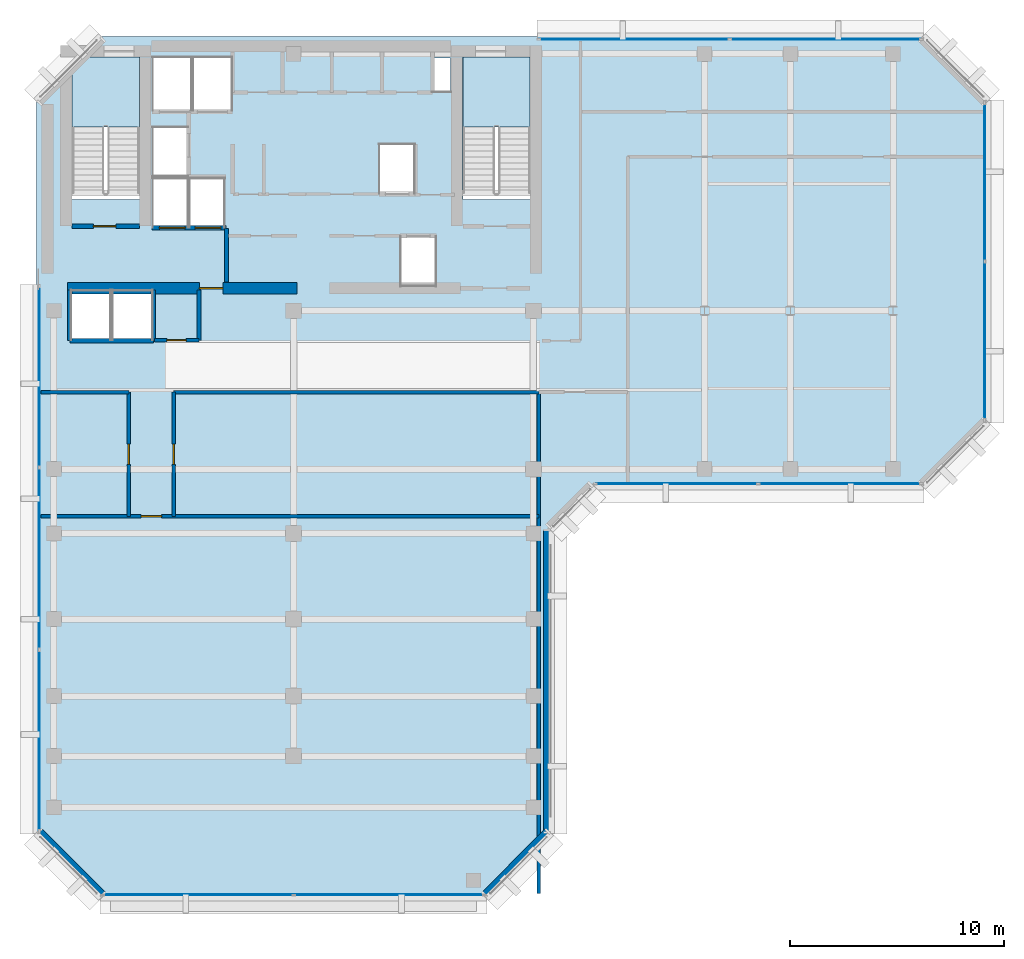
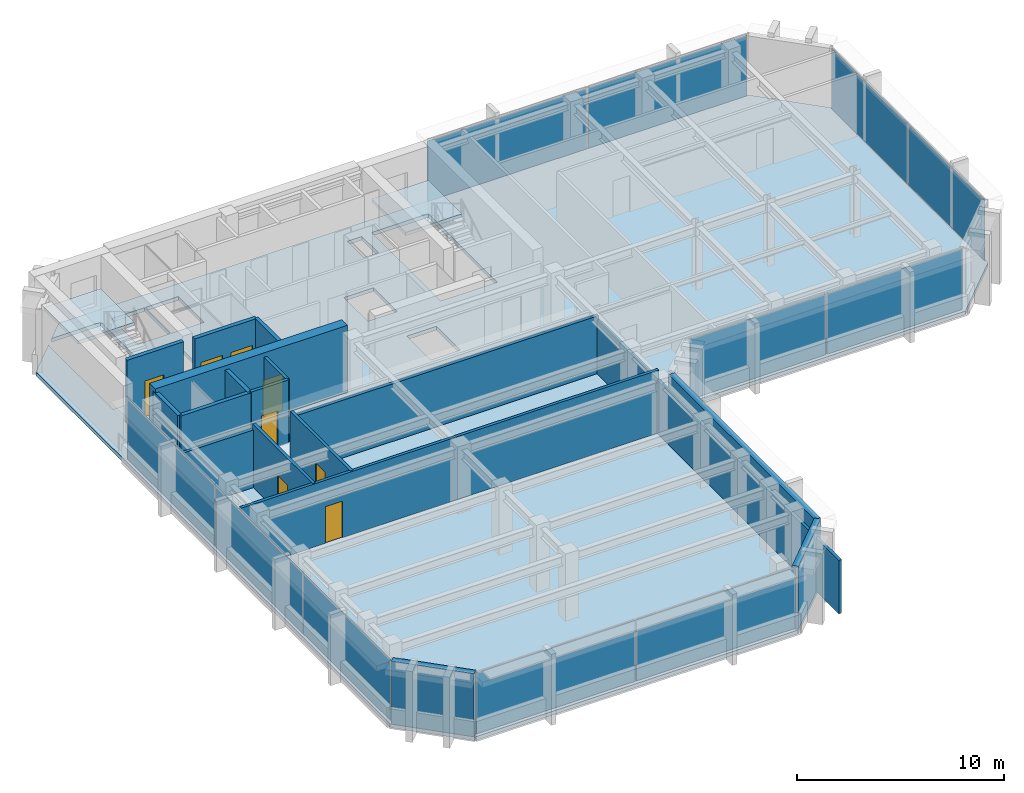
# One storey, part 6 of 11: 18 walls, 11 plates, 8 doors, 3 slabs, 8 openings, 7 elements without a shape of their own.
"""IFC4 building model written with IfcOpenShell, lengths in metres."""

from ifc_helpers import new_model, si_unit, direction, frame, frame_2d, origin, origin_2d, place, context, subcontext, project, spatial, polyline, rectangle, outline, extrude, material, layer, layer_set, type_object, element, fill, aggregate, save


model = new_model("IFC4")

# Units and contexts
model_context = context("Model", 3, precision=1e-05, world=origin(), true_north=direction((0.0, 1.0)))
body_context = subcontext(model_context, "Body", "Model", "MODEL_VIEW")
ifc_project = project(units=[si_unit("LENGTHUNIT", "METRE"), si_unit("AREAUNIT", "SQUARE_METRE"), si_unit("VOLUMEUNIT", "CUBIC_METRE"), si_unit("PLANEANGLEUNIT", "RADIAN"), si_unit("MASSUNIT", "GRAM", prefix="KILO")], contexts=[model_context])

# Site, building, storey
site_placement = place(None, origin())
site = spatial("IfcSite", under=ifc_project, at=site_placement, CompositionType="ELEMENT")
building_placement = place(site_placement, origin())
building = spatial("IfcBuilding", under=site, at=building_placement, Name="Kefirva Bronze Tower", CompositionType="ELEMENT")
storey_placement = place(building_placement, frame((0.0, 0.0, 343.530029296875)))
storey = spatial("IfcBuildingStorey", under=building, at=storey_placement, Name="L84", CompositionType="ELEMENT", Elevation=343.530029296875)

# Stair, slab
ifc_material_1 = material(Name="Concrete C40/50", Category="concrete")
stair_type = type_object("IfcStairType", Name="RC Dogleg Protected Stair 24R", PredefinedType="HALF_TURN_STAIR", material=ifc_material_1)
stair_1_placement = place(storey_placement, origin())
stair_1 = element("IfcStair", 1, at=stair_1_placement, inside=storey, type_object=stair_type, Name="L84 Protected Exit Stair 1", PredefinedType="HALF_TURN_STAIR")
ifc_layer_1 = layer(ifc_material_1, 0.199951171875, Name="Concrete C40/50")
ifc_layer_set_1 = layer_set([ifc_layer_1], Name="Concrete C40/50")
slab_type_1 = type_object("IfcSlabType", Name="RC Stair Landing Slab 200mm", PredefinedType="LANDING", material=ifc_layer_set_1)
slab_1_placement = place(storey_placement, frame((0.0, 0.0, 1.780029296875)))
slab_1 = element("IfcSlab", 2, at=slab_1_placement, type_object=slab_type_1, Name="ST-1 landing 1", PredefinedType="LANDING", context=body_context, shape_type="SweptSolid", body=[
    extrude(outline(polyline([(4.800048828125, 41.780029296875), (4.800048828125, 45.050048828125), (1.64990234375, 45.050048828125), (1.64990234375, 41.780029296875), (4.800048828125, 41.780029296875)])), origin(), (0.0, 0.0, 1.0), 0.199951171875),
])
aggregate(stair_1, [slab_1])

stair_2_placement = place(storey_placement, origin())
stair_2 = element("IfcStair", 3, at=stair_2_placement, inside=storey, type_object=stair_type, Name="L84 Protected Exit Stair 2", PredefinedType="HALF_TURN_STAIR")
slab_2_placement = place(storey_placement, frame((0.0, 0.0, 1.780029296875)))
slab_2 = element("IfcSlab", 4, at=slab_2_placement, type_object=slab_type_1, Name="ST-2 landing 1", PredefinedType="LANDING", context=body_context, shape_type="SweptSolid", body=[
    extrude(outline(polyline([(23.050048828125, 41.780029296875), (23.050048828125, 45.050048828125), (19.89990234375, 45.050048828125), (19.89990234375, 41.780029296875), (23.050048828125, 41.780029296875)])), origin(), (0.0, 0.0, 1.0), 0.199951171875),
])
aggregate(stair_2, [slab_2])

# Slab
ifc_layer_2 = layer(ifc_material_1, 0.219970703125, Name="Concrete C40/50")
ifc_layer_set_2 = layer_set([ifc_layer_2], Name="Concrete C40/50")
slab_type_2 = type_object("IfcSlabType", Name="RC Upper Floor Slab 220mm", PredefinedType="FLOOR", material=ifc_layer_set_2)
slab_3_placement = place(storey_placement, frame((0.0, 0.0, -0.219970703125)))
element("IfcSlab", 5, at=slab_3_placement, inside=storey, type_object=slab_type_2, Name="L84 Structural Floor Slab", PredefinedType="FLOOR", context=body_context, shape_type="SweptSolid", body=[
    extrude(outline(polyline([(0.0, 8.800048828125), (0.0, 43.0), (1.64990234375, 44.64990234375), (1.64990234375, 38.39990234375), (4.800048828125, 38.39990234375), (4.800048828125, 45.050048828125), (2.050048828125, 45.050048828125), (3.0, 46.0), (41.39990234375, 46.0), (44.39990234375, 43.0), (44.39990234375, 28.0), (41.39990234375, 25.0), (26.0, 25.0), (24.0, 23.0), (24.0, 8.800048828125), (21.0, 5.800048828125), (3.0, 5.800048828125), (0.0, 8.800048828125)]), holes=[polyline([(23.050048828125, 45.050048828125), (19.89990234375, 45.050048828125), (19.89990234375, 38.39990234375), (23.050048828125, 38.39990234375), (23.050048828125, 45.050048828125)]), polyline([(19.320068359375, 43.419921875), (19.320068359375, 45.0), (18.52001953125, 45.0), (18.52001953125, 43.419921875), (19.320068359375, 43.419921875)]), polyline([(18.64990234375, 36.64990234375), (17.0, 36.64990234375), (17.0, 34.35009765625), (18.64990234375, 34.35009765625), (18.64990234375, 36.64990234375)]), polyline([(17.64990234375, 38.679931640625), (17.64990234375, 40.97998046875), (16.0, 40.97998046875), (16.0, 38.679931640625), (17.64990234375, 38.679931640625)]), polyline([(9.1201171875, 42.550048828125), (9.1201171875, 45.050048828125), (7.300048828125, 45.050048828125), (7.300048828125, 42.550048828125), (9.1201171875, 42.550048828125)]), polyline([(8.780029296875, 37.10009765625), (8.780029296875, 39.39990234375), (7.139892578125, 39.39990234375), (7.139892578125, 37.10009765625), (8.780029296875, 37.10009765625)]), polyline([(7.239990234375, 42.550048828125), (7.239990234375, 45.050048828125), (5.419921875, 45.050048828125), (5.419921875, 42.550048828125), (7.239990234375, 42.550048828125)]), polyline([(7.06005859375, 37.10009765625), (7.06005859375, 39.39990234375), (5.419921875, 39.39990234375), (5.419921875, 37.10009765625), (7.06005859375, 37.10009765625)]), polyline([(7.06005859375, 41.780029296875), (5.419921875, 41.780029296875), (5.419921875, 39.47998046875), (7.06005859375, 39.47998046875), (7.06005859375, 41.780029296875)]), polyline([(5.39990234375, 31.85009765625), (5.39990234375, 34.14990234375), (3.550048828125, 34.14990234375), (3.550048828125, 31.85009765625), (5.39990234375, 31.85009765625)]), polyline([(3.449951171875, 34.14990234375), (1.60009765625, 34.14990234375), (1.60009765625, 31.85009765625), (3.449951171875, 31.85009765625), (3.449951171875, 34.14990234375)])]), origin(), (0.0, 0.0, 1.0), 0.219970703125),
])

# Curtain wall, plates
ifc_material_2 = material(Name="Bronze anodised aluminium", Category="aluminium")
ifc_layer_3 = layer(ifc_material_2, 0.179931640625, Name="Bronze anodised aluminium")
ifc_layer_set_3 = layer_set([ifc_layer_3], Name="Bronze anodised aluminium")
curtain_wall_type = type_object("IfcCurtainWallType", Name="Unitised Bronze Ribbon Curtain Wall Zone 4", PredefinedType="USERDEFINED", material=ifc_layer_set_3)
curtain_wall_1_placement = place(storey_placement, origin())
curtain_wall_1 = element("IfcCurtainWall", 6, at=curtain_wall_1_placement, inside=storey, type_object=curtain_wall_type, Name="L84 Curtain Wall 1", ObjectType="UNITISED CURTAIN WALL", PredefinedType="USERDEFINED")
ifc_material_3 = material(Name="Laminated low-E double glazing", Category="glass")
ifc_layer_4 = layer(ifc_material_3, 0.031982421875, Name="Laminated low-E double glazing")
ifc_layer_set_4 = layer_set([ifc_layer_4], Name="Laminated low-E double glazing")
plate_type = type_object("IfcPlateType", Name="Solar-Control Low-E Vision Panel 32mm", PredefinedType="CURTAIN_PANEL", material=ifc_layer_set_4)
plate_1_placement = place(storey_placement, frame((7.546142578125, 5.919921875, 0.074951171875), z_axis=(0.0, 0.0, 1.0), x_axis=(1.0, 0.0, 0.0)))
plate_1 = element("IfcPlate", 7, at=plate_1_placement, type_object=plate_type, Name="CW-04 panel 1.1", PredefinedType="CURTAIN_PANEL", context=body_context, shape_type="SweptSolid", body=[
    extrude(rectangle(XDim=8.83251953125, YDim=0.031982421875, at=origin_2d()), origin(), (0.0, 0.0, 1.0), 3.56005859375),
])
plate_2_placement = place(storey_placement, frame((16.453857421875, 5.919921875, 0.074951171875), z_axis=(0.0, 0.0, 1.0), x_axis=(1.0, 0.0, 0.0)))
plate_2 = element("IfcPlate", 8, at=plate_2_placement, type_object=plate_type, Name="CW-04 panel 2.1", PredefinedType="CURTAIN_PANEL", context=body_context, shape_type="SweptSolid", body=[
    extrude(rectangle(XDim=8.83251953125, YDim=0.031982421875, at=origin_2d()), origin(), (0.0, 0.0, 1.0), 3.56005859375),
])
aggregate(curtain_wall_1, [plate_1, plate_2])

curtain_wall_2_placement = place(storey_placement, origin())
curtain_wall_2 = element("IfcCurtainWall", 9, at=curtain_wall_2_placement, inside=storey, type_object=curtain_wall_type, Name="L84 Curtain Wall 2", ObjectType="UNITISED CURTAIN WALL", PredefinedType="USERDEFINED")
plate_3_placement = place(storey_placement, frame((29.896240234375, 25.1201171875, 0.074951171875), z_axis=(0.0, 0.0, 1.0), x_axis=(1.0, 0.0, 0.0)))
plate_3 = element("IfcPlate", 10, at=plate_3_placement, type_object=plate_type, Name="CW-04 panel 1.1", PredefinedType="CURTAIN_PANEL", context=body_context, shape_type="SweptSolid", body=[
    extrude(rectangle(XDim=7.532470703125, YDim=0.031982421875, at=origin_2d()), origin(), (0.0, 0.0, 1.0), 3.56005859375),
])
plate_4_placement = place(storey_placement, frame((37.503662109375, 25.1201171875, 0.074951171875), z_axis=(0.0, 0.0, 1.0), x_axis=(1.0, 0.0, 0.0)))
plate_4 = element("IfcPlate", 11, at=plate_4_placement, type_object=plate_type, Name="CW-04 panel 2.1", PredefinedType="CURTAIN_PANEL", context=body_context, shape_type="SweptSolid", body=[
    extrude(rectangle(XDim=7.532470703125, YDim=0.031982421875, at=origin_2d()), origin(), (0.0, 0.0, 1.0), 3.56005859375),
])
aggregate(curtain_wall_2, [plate_3, plate_4])

curtain_wall_3_placement = place(storey_placement, origin())
curtain_wall_3 = element("IfcCurtainWall", 12, at=curtain_wall_3_placement, inside=storey, type_object=curtain_wall_type, Name="L84 Curtain Wall 3", ObjectType="UNITISED CURTAIN WALL", PredefinedType="USERDEFINED")
plate_5_placement = place(storey_placement, frame((44.280029296875, 31.796142578125, 0.074951171875), z_axis=(0.0, 0.0, 1.0), x_axis=(0.0, 1.0, 0.0)))
plate_5 = element("IfcPlate", 13, at=plate_5_placement, type_object=plate_type, Name="CW-04 panel 1.1", PredefinedType="CURTAIN_PANEL", context=body_context, shape_type="SweptSolid", body=[
    extrude(rectangle(XDim=7.33251953125, YDim=0.031982421875, at=origin_2d()), origin(), (0.0, 0.0, 1.0), 3.56005859375),
])
plate_6_placement = place(storey_placement, frame((44.280029296875, 39.203857421875, 0.074951171875), z_axis=(0.0, 0.0, 1.0), x_axis=(0.0, 1.0, 0.0)))
plate_6 = element("IfcPlate", 14, at=plate_6_placement, type_object=plate_type, Name="CW-04 panel 2.1", PredefinedType="CURTAIN_PANEL", context=body_context, shape_type="SweptSolid", body=[
    extrude(rectangle(XDim=7.33251953125, YDim=0.031982421875, at=origin_2d()), origin(), (0.0, 0.0, 1.0), 3.56005859375),
])
aggregate(curtain_wall_3, [plate_5, plate_6])

curtain_wall_4_placement = place(storey_placement, origin())
curtain_wall_4 = element("IfcCurtainWall", 15, at=curtain_wall_4_placement, inside=storey, type_object=curtain_wall_type, Name="L84 Curtain Wall 4", ObjectType="UNITISED CURTAIN WALL", PredefinedType="USERDEFINED")
plate_7_placement = place(storey_placement, frame((36.84130859375, 45.8798828125, 0.074951171875), z_axis=(0.0, 0.0, 1.0), x_axis=(-1.0, 0.0, 0.0)))
plate_7 = element("IfcPlate", 16, at=plate_7_placement, type_object=plate_type, Name="CW-04 panel 1.1", PredefinedType="CURTAIN_PANEL", context=body_context, shape_type="SweptSolid", body=[
    extrude(rectangle(XDim=8.857421875, YDim=0.031982421875, at=origin_2d()), origin(), (0.0, 0.0, 1.0), 3.56005859375),
])
plate_8_placement = place(storey_placement, frame((27.90869140625, 45.8798828125, 0.074951171875), z_axis=(0.0, 0.0, 1.0), x_axis=(-1.0, 0.0, 0.0)))
plate_8 = element("IfcPlate", 17, at=plate_8_placement, type_object=plate_type, Name="CW-04 panel 2.1", PredefinedType="CURTAIN_PANEL", context=body_context, shape_type="SweptSolid", body=[
    extrude(rectangle(XDim=8.857421875, YDim=0.031982421875, at=origin_2d()), origin(), (0.0, 0.0, 1.0), 3.56005859375),
])
aggregate(curtain_wall_4, [plate_7, plate_8])

curtain_wall_5_placement = place(storey_placement, origin())
curtain_wall_5 = element("IfcCurtainWall", 18, at=curtain_wall_5_placement, inside=storey, type_object=curtain_wall_type, Name="L84 Curtain Wall 5", ObjectType="UNITISED CURTAIN WALL", PredefinedType="USERDEFINED")
plate_9_placement = place(storey_placement, frame((0.1201171875, 30.11962890625, 0.074951171875), z_axis=(0.0, 0.0, 1.0), x_axis=(0.0, -1.0, 0.0)))
plate_9 = element("IfcPlate", 19, at=plate_9_placement, type_object=plate_type, Name="CW-04 panel 1.1", PredefinedType="CURTAIN_PANEL", context=body_context, shape_type="SweptSolid", body=[
    extrude(rectangle(XDim=8.40087890625, YDim=0.031982421875, at=origin_2d()), origin(), (0.0, 0.0, 1.0), 3.56005859375),
])
plate_10_placement = place(storey_placement, frame((0.1201171875, 21.625, 0.074951171875), z_axis=(0.0, 0.0, 1.0), x_axis=(0.0, -1.0, 0.0)))
plate_10 = element("IfcPlate", 20, at=plate_10_placement, type_object=plate_type, Name="CW-04 panel 2.1", PredefinedType="CURTAIN_PANEL", context=body_context, shape_type="SweptSolid", body=[
    extrude(rectangle(XDim=8.438232421875, YDim=0.031982421875, at=origin_2d()), origin(), (0.0, 0.0, 1.0), 3.56005859375),
])
plate_11_placement = place(storey_placement, frame((0.1201171875, 13.13037109375, 0.074951171875), z_axis=(0.0, 0.0, 1.0), x_axis=(0.0, -1.0, 0.0)))
plate_11 = element("IfcPlate", 21, at=plate_11_placement, type_object=plate_type, Name="CW-04 panel 3.1", PredefinedType="CURTAIN_PANEL", context=body_context, shape_type="SweptSolid", body=[
    extrude(rectangle(XDim=8.40087890625, YDim=0.031982421875, at=origin_2d()), origin(), (0.0, 0.0, 1.0), 3.56005859375),
])
aggregate(curtain_wall_5, [plate_9, plate_10, plate_11])

# Wall, opening, door
ifc_material_4 = material(Name="Gypsum fireboard shaftwall")
ifc_layer_5 = layer(ifc_material_4, 0.219970703125, Name="Gypsum fireboard shaftwall")
ifc_layer_set_5 = layer_set([ifc_layer_5], Name="Gypsum fireboard shaftwall")
wall_type_1 = type_object("IfcWallType", Name="Fire-Rated Shaft Enclosure Wall 220mm", PredefinedType="PARTITIONING", material=ifc_layer_set_5)
wall_1_placement = place(storey_placement, frame((1.64990234375, 37.14990234375, 0.0), z_axis=(0.0, 0.0, 1.0), x_axis=(1.0, 0.0, 0.0)))
wall_1 = element("IfcWall", 22, at=wall_1_placement, inside=storey, type_object=wall_type_1, Name="L84 Partition W-L84-ST1S", PredefinedType="PARTITIONING", context=body_context, shape_type="SweptSolid", body=[
    extrude(rectangle(XDim=3.150146484375, YDim=0.219970703125, at=frame_2d((1.5751953125, 0.0))), origin(), (0.0, 0.0, 1.0), 3.7099609375),
])
opening_1_placement = place(wall_1_placement, frame((2.050048828125, 0.0, 0.0), z_axis=(0.0, 0.0, 1.0), x_axis=(-1.0, 0.0, 0.0)))
opening_1 = element("IfcOpeningElement", 23, at=opening_1_placement, cuts=wall_1, Name="Opening L84-D001", PredefinedType="OPENING", context=body_context, shape_type="SweptSolid", body=[
    extrude(rectangle(XDim=1.050048828125, YDim=2.14990234375, at=frame_2d((0.52490234375, 1.074951171875))), frame((0.0, 0.1201171875, 0.0), z_axis=(0.0, -1.0, 0.0), x_axis=(1.0, 0.0, 0.0)), (0.0, 0.0, 1.0), 0.239990234375),
])
ifc_material_5 = material(Name="Painted galvanized steel", Category="steel")
door_type_1 = type_object("IfcDoorType", Name="Fire Stair Enclosure Door 1050x2150 FD90S", OperationType="NOTDEFINED", PredefinedType="DOOR", material=ifc_material_5)
door_1_placement = place(opening_1_placement, origin())
door_1 = element("IfcDoor", 24, at=door_1_placement, inside=storey, type_object=door_type_1, Name="Door L84-D001", OperationType="SINGLE_SWING_RIGHT", OverallHeight=2.14990234375, OverallWidth=1.050048828125, PredefinedType="DOOR", context=body_context, shape_type="SweptSolid", body=[
    extrude(rectangle(XDim=1.050048828125, YDim=2.14990234375, at=frame_2d((0.52490234375, 1.074951171875))), frame((0.0, 0.02490234375, 0.0), z_axis=(0.0, -1.0, 0.0), x_axis=(1.0, 0.0, 0.0)), (0.0, 0.0, 1.0), 0.050048828125),
])
fill(opening_1, door_1)

# Wall, openings, doors
wall_2_placement = place(storey_placement, frame((5.3798828125, 37.080078125, 0.0), z_axis=(0.0, 0.0, 1.0), x_axis=(1.0, 0.0, 0.0)))
wall_2 = element("IfcWall", 25, at=wall_2_placement, inside=storey, type_object=wall_type_1, Name="L84 Partition W-L84-FFS", PredefinedType="PARTITIONING", context=body_context, shape_type="SweptSolid", body=[
    extrude(rectangle(XDim=3.460205078125, YDim=0.219970703125, at=frame_2d((1.72998046875, 0.0))), origin(), (0.0, 0.0, 1.0), 3.7099609375),
])
opening_2_placement = place(wall_2_placement, frame((1.550048828125, 0.0, 0.0), z_axis=(0.0, 0.0, 1.0), x_axis=(-1.0, 0.0, 0.0)))
opening_2 = element("IfcOpeningElement", 26, at=opening_2_placement, cuts=wall_2, Name="Opening L84-LD-FF1", PredefinedType="OPENING", context=body_context, shape_type="SweptSolid", body=[
    extrude(rectangle(XDim=1.199951171875, YDim=2.199951171875, at=frame_2d((0.60009765625, 1.10009765625))), frame((0.0, 0.1201171875, 0.0), z_axis=(0.0, -1.0, 0.0), x_axis=(1.0, 0.0, 0.0)), (0.0, 0.0, 1.0), 0.239990234375),
])
opening_3_placement = place(wall_2_placement, frame((3.219970703125, 0.0, 0.0), z_axis=(0.0, 0.0, 1.0), x_axis=(-1.0, 0.0, 0.0)))
opening_3 = element("IfcOpeningElement", 27, at=opening_3_placement, cuts=wall_2, Name="Opening L84-LD-FF2", PredefinedType="OPENING", context=body_context, shape_type="SweptSolid", body=[
    extrude(rectangle(XDim=1.199951171875, YDim=2.199951171875, at=frame_2d((0.60009765625, 1.10009765625))), frame((0.0, 0.1201171875, 0.0), z_axis=(0.0, -1.0, 0.0), x_axis=(1.0, 0.0, 0.0)), (0.0, 0.0, 1.0), 0.239990234375),
])
ifc_material_6 = material(Name="Stainless steel 316", Category="steel")
door_type_2 = type_object("IfcDoorType", Name="Firefighting Lift Sliding Door 1200x2200", OperationType="SLIDING_TO_RIGHT", PredefinedType="DOOR", material=ifc_material_6)
door_2_placement = place(opening_2_placement, origin())
door_2 = element("IfcDoor", 28, at=door_2_placement, inside=storey, type_object=door_type_2, Name="Door L84-LD-FF1", OperationType="SLIDING_TO_RIGHT", OverallHeight=2.199951171875, OverallWidth=1.199951171875, PredefinedType="DOOR", context=body_context, shape_type="SweptSolid", body=[
    extrude(rectangle(XDim=1.199951171875, YDim=2.199951171875, at=frame_2d((0.60009765625, 1.10009765625))), frame((0.0, 0.02490234375, 0.0), z_axis=(0.0, -1.0, 0.0), x_axis=(1.0, 0.0, 0.0)), (0.0, 0.0, 1.0), 0.050048828125),
])
fill(opening_2, door_2)
door_3_placement = place(opening_3_placement, origin())
door_3 = element("IfcDoor", 29, at=door_3_placement, inside=storey, type_object=door_type_2, Name="Door L84-LD-FF2", OperationType="SLIDING_TO_RIGHT", OverallHeight=2.199951171875, OverallWidth=1.199951171875, PredefinedType="DOOR", context=body_context, shape_type="SweptSolid", body=[
    extrude(rectangle(XDim=1.199951171875, YDim=2.199951171875, at=frame_2d((0.60009765625, 1.10009765625))), frame((0.0, 0.02490234375, 0.0), z_axis=(0.0, -1.0, 0.0), x_axis=(1.0, 0.0, 0.0)), (0.0, 0.0, 1.0), 0.050048828125),
])
fill(opening_3, door_3)

# Walls
wall_3_placement = place(storey_placement, frame((1.550048828125, 31.800048828125, 0.0), z_axis=(0.0, 0.0, 1.0), x_axis=(1.0, 0.0, 0.0)))
element("IfcWall", 30, at=wall_3_placement, inside=storey, type_object=wall_type_1, Name="L84 Partition W-L84-OBS", PredefinedType="PARTITIONING", context=body_context, shape_type="SweptSolid", body=[
    extrude(rectangle(XDim=3.89990234375, YDim=0.219970703125, at=frame_2d((1.949951171875, 0.0))), origin(), (0.0, 0.0, 1.0), 3.7099609375),
])
for number, where, z_axis, x_axis, name in (
    (31, (1.550048828125, 31.800048828125, 0.0), (0.0, 0.0, 1.0), (0.0, 1.0, 0.0), "L84 Partition W-L84-OBW"),
    (32, (5.449951171875, 31.800048828125, 0.0), (0.0, 0.0, 1.0), (0.0, 1.0, 0.0), "L84 Partition W-L84-OBE"),
):
    element("IfcWall", number, at=place(storey_placement, frame(where, z_axis=z_axis, x_axis=x_axis)), inside=storey, type_object=wall_type_1, Name=name, PredefinedType="PARTITIONING", context=body_context, shape_type="SweptSolid", body=[
        extrude(rectangle(XDim=2.3798828125, YDim=0.219970703125, at=frame_2d((1.18994140625, 0.0))), origin(), (0.0, 0.0, 1.0), 3.7099609375),
    ])
ifc_material_7 = material(Name="Gypsum fireboard barrier")
ifc_layer_6 = layer(ifc_material_7, 0.199951171875, Name="Gypsum fireboard barrier")
ifc_layer_set_6 = layer_set([ifc_layer_6], Name="Gypsum fireboard barrier")
wall_type_2 = type_object("IfcWallType", Name="Firefighting Lobby Barrier Wall 200mm", PredefinedType="PARTITIONING", material=ifc_layer_set_6)
wall_4_placement = place(storey_placement, frame((8.860107421875, 34.550048828125, 0.0), z_axis=(0.0, 0.0, 1.0), x_axis=(0.0, 1.0, 0.0)))
element("IfcWall", 33, at=wall_4_placement, inside=storey, type_object=wall_type_2, Name="L84 Partition W-L84-FFLE", PredefinedType="PARTITIONING", context=body_context, shape_type="SweptSolid", body=[
    extrude(rectangle(XDim=2.5, YDim=0.199951171875, at=frame_2d((1.25, 0.0))), origin(), (0.0, 0.0, 1.0), 3.7099609375),
])
ifc_material_8 = material(Name="Precast concrete C40/50", Category="concrete")
ifc_layer_7 = layer(ifc_material_8, 0.320068359375, Name="Precast concrete C40/50")
ifc_layer_set_7 = layer_set([ifc_layer_7], Name="Precast concrete C40/50")
wall_type_3 = type_object("IfcWallType", Name="Precast Insulated Exterior Wall 320mm", PredefinedType="SOLIDWALL", material=ifc_layer_set_7)
wall_5_placement = place(storey_placement, frame((20.92578125, 5.951904296875, 0.0), z_axis=(0.0, 0.0, 1.0), x_axis=(0.707077242712, 0.707136318428, 0.0)))
element("IfcWall", 34, at=wall_5_placement, inside=storey, type_object=wall_type_3, Name="L84 Exterior Facade Wall 1", PredefinedType="SOLIDWALL", context=body_context, shape_type="SweptSolid", body=[
    extrude(rectangle(XDim=4.132568359375, YDim=0.320068359375, at=frame_2d((2.06640625, 0.0))), origin(), (0.0, 0.0, 1.0), 3.7099609375),
])
wall_6_placement = place(storey_placement, frame((23.840087890625, 8.85498046875, 0.0), z_axis=(0.0, 0.0, 1.0), x_axis=(0.0, 1.0, 0.0)))
element("IfcWall", 35, at=wall_6_placement, inside=storey, type_object=wall_type_3, Name="L84 Exterior Facade Wall 2", PredefinedType="SOLIDWALL", context=body_context, shape_type="SweptSolid", body=[
    extrude(rectangle(XDim=14.090087890625, YDim=0.320068359375, at=frame_2d((7.044921875, 0.0))), origin(), (0.0, 0.0, 1.0), 3.7099609375),
])
wall_7_placement = place(storey_placement, frame((0.152099609375, 8.874267578125, 0.0), z_axis=(0.0, 0.0, 1.0), x_axis=(0.707077242712, -0.707136318428, 0.0)))
element("IfcWall", 36, at=wall_7_placement, inside=storey, type_object=wall_type_3, Name="L84 Exterior Facade Wall 7", PredefinedType="SOLIDWALL", context=body_context, shape_type="SweptSolid", body=[
    extrude(rectangle(XDim=4.132568359375, YDim=0.320068359375, at=frame_2d((2.06640625, 0.0))), origin(), (0.0, 0.0, 1.0), 3.7099609375),
])

# Wall, opening, door
ifc_material_9 = material(Name="Gypsum acoustic partition")
ifc_layer_8 = layer(ifc_material_9, 0.159912109375, Name="Gypsum acoustic partition")
ifc_layer_set_8 = layer_set([ifc_layer_8], Name="Gypsum acoustic partition")
wall_type_4 = type_object("IfcWallType", Name="Protected Corridor Partition 160mm", PredefinedType="PARTITIONING", material=ifc_layer_set_8)
wall_8_placement = place(storey_placement, frame((4.300048828125, 23.60009765625, 0.0), z_axis=(0.0, 0.0, 1.0), x_axis=(0.0, 1.0, 0.0)))
wall_8 = element("IfcWall", 37, at=wall_8_placement, inside=storey, type_object=wall_type_4, Name="L84 Partition W-L84-SWCORW", PredefinedType="PARTITIONING", context=body_context, shape_type="SweptSolid", body=[
    extrude(rectangle(XDim=5.7998046875, YDim=0.159912109375, at=frame_2d((2.89990234375, 0.0))), origin(), (0.0, 0.0, 1.0), 3.7099609375),
])
opening_4_placement = place(wall_8_placement, frame((3.375, 0.0, 0.0), z_axis=(0.0, 0.0, 1.0), x_axis=(-1.0, 0.0, 0.0)))
opening_4 = element("IfcOpeningElement", 38, at=opening_4_placement, cuts=wall_8, Name="Opening L84-D-SW1", PredefinedType="OPENING", context=body_context, shape_type="SweptSolid", body=[
    extrude(rectangle(XDim=0.949951171875, YDim=2.14990234375, at=frame_2d((0.47509765625, 1.074951171875))), frame((0.0, 0.08984375, 0.0), z_axis=(0.0, -1.0, 0.0), x_axis=(1.0, 0.0, 0.0)), (0.0, 0.0, 1.0), 0.179931640625),
])
ifc_material_10 = material(Name="Acoustic hardwood oak", Category="wood")
door_type_3 = type_object("IfcDoorType", Name="Office & Meeting Room Door 950x2150", OperationType="NOTDEFINED", PredefinedType="DOOR", material=ifc_material_10)
door_4_placement = place(opening_4_placement, origin())
door_4 = element("IfcDoor", 39, at=door_4_placement, inside=storey, type_object=door_type_3, Name="Door L84-D-SW1", OperationType="SINGLE_SWING_RIGHT", OverallHeight=2.14990234375, OverallWidth=0.949951171875, PredefinedType="DOOR", context=body_context, shape_type="SweptSolid", body=[
    extrude(rectangle(XDim=0.949951171875, YDim=2.14990234375, at=frame_2d((0.47509765625, 1.074951171875))), frame((0.0, 0.02490234375, 0.0), z_axis=(0.0, -1.0, 0.0), x_axis=(1.0, 0.0, 0.0)), (0.0, 0.0, 1.0), 0.050048828125),
])
fill(opening_4, door_4)

wall_9_placement = place(storey_placement, frame((6.39990234375, 23.60009765625, 0.0), z_axis=(0.0, 0.0, 1.0), x_axis=(0.0, 1.0, 0.0)))
wall_9 = element("IfcWall", 40, at=wall_9_placement, inside=storey, type_object=wall_type_4, Name="L84 Partition W-L84-SECORE", PredefinedType="PARTITIONING", context=body_context, shape_type="SweptSolid", body=[
    extrude(rectangle(XDim=5.7998046875, YDim=0.159912109375, at=frame_2d((2.89990234375, 0.0))), origin(), (0.0, 0.0, 1.0), 3.7099609375),
])
opening_5_placement = place(wall_9_placement, frame((2.425048828125, 0.0, 0.0)))
opening_5 = element("IfcOpeningElement", 41, at=opening_5_placement, cuts=wall_9, Name="Opening L84-D-SE1", PredefinedType="OPENING", context=body_context, shape_type="SweptSolid", body=[
    extrude(rectangle(XDim=0.949951171875, YDim=2.14990234375, at=frame_2d((0.47509765625, 1.074951171875))), frame((0.0, 0.08984375, 0.0), z_axis=(0.0, -1.0, 0.0), x_axis=(1.0, 0.0, 0.0)), (0.0, 0.0, 1.0), 0.179931640625),
])
door_5_placement = place(opening_5_placement, origin())
door_5 = element("IfcDoor", 42, at=door_5_placement, inside=storey, type_object=door_type_3, Name="Door L84-D-SE1", OperationType="SINGLE_SWING_LEFT", OverallHeight=2.14990234375, OverallWidth=0.949951171875, PredefinedType="DOOR", context=body_context, shape_type="SweptSolid", body=[
    extrude(rectangle(XDim=0.949951171875, YDim=2.14990234375, at=frame_2d((0.47509765625, 1.074951171875))), frame((0.0, 0.02490234375, 0.0), z_axis=(0.0, -1.0, 0.0), x_axis=(1.0, 0.0, 0.0)), (0.0, 0.0, 1.0), 0.050048828125),
])
fill(opening_5, door_5)

wall_10_placement = place(storey_placement, frame((0.18994140625, 23.60009765625, 0.0), z_axis=(0.0, 0.0, 1.0), x_axis=(1.0, 0.0, 0.0)))
wall_10 = element("IfcWall", 43, at=wall_10_placement, inside=storey, type_object=wall_type_4, Name="L84 Partition W-L84-SBEND", PredefinedType="PARTITIONING", context=body_context, shape_type="SweptSolid", body=[
    extrude(rectangle(XDim=23.260009765625, YDim=0.159912109375, at=frame_2d((11.6298828125, 0.0))), origin(), (0.0, 0.0, 1.0), 3.7099609375),
])
opening_6_placement = place(wall_10_placement, frame((4.68994140625, 0.0, 0.0)))
opening_6 = element("IfcOpeningElement", 44, at=opening_6_placement, cuts=wall_10, Name="Opening L84-D-SEND1", PredefinedType="OPENING", context=body_context, shape_type="SweptSolid", body=[
    extrude(rectangle(XDim=0.949951171875, YDim=2.14990234375, at=frame_2d((0.47509765625, 1.074951171875))), frame((0.0, 0.08984375, 0.0), z_axis=(0.0, -1.0, 0.0), x_axis=(1.0, 0.0, 0.0)), (0.0, 0.0, 1.0), 0.179931640625),
])
door_6_placement = place(opening_6_placement, origin())
door_6 = element("IfcDoor", 45, at=door_6_placement, inside=storey, type_object=door_type_3, Name="Door L84-D-SEND1", OperationType="SINGLE_SWING_LEFT", OverallHeight=2.14990234375, OverallWidth=0.949951171875, PredefinedType="DOOR", context=body_context, shape_type="SweptSolid", body=[
    extrude(rectangle(XDim=0.949951171875, YDim=2.14990234375, at=frame_2d((0.47509765625, 1.074951171875))), frame((0.0, 0.02490234375, 0.0), z_axis=(0.0, -1.0, 0.0), x_axis=(1.0, 0.0, 0.0)), (0.0, 0.0, 1.0), 0.050048828125),
])
fill(opening_6, door_6)

# Walls
wall_11_placement = place(storey_placement, frame((0.18994140625, 29.39990234375, 0.0), z_axis=(0.0, 0.0, 1.0), x_axis=(1.0, 0.0, 0.0)))
element("IfcWall", 46, at=wall_11_placement, inside=storey, type_object=wall_type_4, Name="L84 Partition W-L84-NWT", PredefinedType="PARTITIONING", context=body_context, shape_type="SweptSolid", body=[
    extrude(rectangle(XDim=4.110107421875, YDim=0.159912109375, at=frame_2d((2.05517578125, 0.0))), origin(), (0.0, 0.0, 1.0), 3.39501953125),
])
wall_12_placement = place(storey_placement, frame((6.39990234375, 29.39990234375, 0.0), z_axis=(0.0, 0.0, 1.0), x_axis=(1.0, 0.0, 0.0)))
element("IfcWall", 47, at=wall_12_placement, inside=storey, type_object=wall_type_4, Name="L84 Partition W-L84-NET", PredefinedType="PARTITIONING", context=body_context, shape_type="SweptSolid", body=[
    extrude(rectangle(XDim=17.050048828125, YDim=0.159912109375, at=frame_2d((8.52490234375, 0.0))), origin(), (0.0, 0.0, 1.0), 3.39501953125),
])
wall_13_placement = place(storey_placement, frame((23.449951171875, 5.989990234375, 0.0), z_axis=(0.0, 0.0, 1.0), x_axis=(0.0, 1.0, 0.0)))
element("IfcWall", 48, at=wall_13_placement, inside=storey, type_object=wall_type_4, Name="L84 Partition W-L84-SWEAST", PredefinedType="PARTITIONING", context=body_context, shape_type="SweptSolid", body=[
    extrude(rectangle(XDim=23.409912109375, YDim=0.159912109375, at=frame_2d((11.705078125, 0.0))), origin(), (0.0, 0.0, 1.0), 3.14501953125),
])

# Wall, opening, door
ifc_material_11 = material(Name="Concrete C50/60", Category="concrete")
ifc_layer_9 = layer(ifc_material_11, 0.550048828125, Name="Concrete C50/60")
ifc_layer_set_9 = layer_set([ifc_layer_9], Name="Concrete C50/60")
wall_type_5 = type_object("IfcWallType", Name="RC Rear Core Interior Wall 550mm", PredefinedType="SHEAR", material=ifc_layer_set_9)
wall_14_placement = place(storey_placement, frame((1.449951171875, 34.25, 0.0), z_axis=(0.0, 0.0, 1.0), x_axis=(1.0, 0.0, 0.0)))
wall_14 = element("IfcWall", 49, at=wall_14_placement, inside=storey, type_object=wall_type_5, Name="L84 Rear Core South-West Shear Wall", PredefinedType="SHEAR", context=body_context, shape_type="SweptSolid", body=[
    extrude(rectangle(XDim=10.7099609375, YDim=0.550048828125, at=frame_2d((5.35498046875, 0.0))), origin(), (0.0, 0.0, 1.0), 3.9599609375),
])
opening_7_placement = place(wall_14_placement, frame((7.25, 0.0, 0.0), z_axis=(0.0, 0.0, 1.0), x_axis=(-1.0, 0.0, 0.0)))
opening_7 = element("IfcOpeningElement", 50, at=opening_7_placement, cuts=wall_14, Name="Opening L84-D002", PredefinedType="OPENING", context=body_context, shape_type="SweptSolid", body=[
    extrude(rectangle(XDim=1.10009765625, YDim=2.14990234375, at=frame_2d((0.550048828125, 1.074951171875))), frame((0.0, 0.28515625, 0.0), z_axis=(0.0, -1.0, 0.0), x_axis=(1.0, 0.0, 0.0)), (0.0, 0.0, 1.0), 0.570068359375),
])
door_type_4 = type_object("IfcDoorType", Name="Firefighting Lobby Smoke Door 1100x2150 FD60S", OperationType="NOTDEFINED", PredefinedType="DOOR", material=ifc_material_5)
door_7_placement = place(opening_7_placement, origin())
door_7 = element("IfcDoor", 51, at=door_7_placement, inside=storey, type_object=door_type_4, Name="Door L84-D002", OperationType="SINGLE_SWING_LEFT", OverallHeight=2.14990234375, OverallWidth=1.10009765625, PredefinedType="DOOR", context=body_context, shape_type="SweptSolid", body=[
    extrude(rectangle(XDim=1.10009765625, YDim=2.14990234375, at=frame_2d((0.550048828125, 1.074951171875))), frame((0.0, 0.02490234375, 0.0), z_axis=(0.0, -1.0, 0.0), x_axis=(1.0, 0.0, 0.0)), (0.0, 0.0, 1.0), 0.050048828125),
])
fill(opening_7, door_7)

ifc_material_12 = material(Name="Moisture-resistant partition")
ifc_layer_10 = layer(ifc_material_12, 0.179931640625, Name="Moisture-resistant partition")
ifc_layer_set_10 = layer_set([ifc_layer_10], Name="Moisture-resistant partition")
wall_type_6 = type_object("IfcWallType", Name="Sanitary Plumbing Chase Wall 180mm", PredefinedType="PLUMBINGWALL", material=ifc_layer_set_10)
wall_15_placement = place(storey_placement, frame((5.5, 31.820068359375, 0.0), z_axis=(0.0, 0.0, 1.0), x_axis=(1.0, 0.0, 0.0)))
wall_15 = element("IfcWall", 52, at=wall_15_placement, inside=storey, type_object=wall_type_6, Name="L84 Partition W-L84-TCS", PredefinedType="PLUMBINGWALL", context=body_context, shape_type="SweptSolid", body=[
    extrude(rectangle(XDim=2.080078125, YDim=0.179931640625, at=frame_2d((1.0400390625, 0.0))), origin(), (0.0, 0.0, 1.0), 3.7099609375),
])
opening_8_placement = place(wall_15_placement, frame((1.47998046875, 0.0, 0.0), z_axis=(0.0, 0.0, 1.0), x_axis=(-1.0, 0.0, 0.0)))
opening_8 = element("IfcOpeningElement", 53, at=opening_8_placement, cuts=wall_15, Name="Opening L84-D-TCL1", PredefinedType="OPENING", context=body_context, shape_type="SweptSolid", body=[
    extrude(rectangle(XDim=0.89990234375, YDim=2.10009765625, at=frame_2d((0.449951171875, 1.050048828125))), frame((0.0, 0.10009765625, 0.0), z_axis=(0.0, -1.0, 0.0), x_axis=(1.0, 0.0, 0.0)), (0.0, 0.0, 1.0), 0.199951171875),
])
door_type_5 = type_object("IfcDoorType", Name="Telecom & Meter Fire Door 900x2100 FD60S", OperationType="NOTDEFINED", PredefinedType="DOOR", material=ifc_material_5)
door_8_placement = place(opening_8_placement, origin())
door_8 = element("IfcDoor", 54, at=door_8_placement, inside=storey, type_object=door_type_5, Name="Door L84-D-TCL1", OperationType="SINGLE_SWING_LEFT", OverallHeight=2.10009765625, OverallWidth=0.89990234375, PredefinedType="DOOR", context=body_context, shape_type="SweptSolid", body=[
    extrude(rectangle(XDim=0.89990234375, YDim=2.10009765625, at=frame_2d((0.449951171875, 1.050048828125))), frame((0.0, 0.02490234375, 0.0), z_axis=(0.0, -1.0, 0.0), x_axis=(1.0, 0.0, 0.0)), (0.0, 0.0, 1.0), 0.050048828125),
])
fill(opening_8, door_8)

# Wall
wall_16_placement = place(storey_placement, frame((7.580078125, 31.820068359375, 0.0), z_axis=(0.0, 0.0, 1.0), x_axis=(0.0, 1.0, 0.0)))
element("IfcWall", 55, at=wall_16_placement, inside=storey, type_object=wall_type_6, Name="L84 Partition W-L84-TCE", PredefinedType="PLUMBINGWALL", context=body_context, shape_type="SweptSolid", body=[
    extrude(rectangle(XDim=2.35986328125, YDim=0.179931640625, at=frame_2d((1.179931640625, 0.0))), origin(), (0.0, 0.0, 1.0), 3.7099609375),
])

save(model, "model.ifc")
